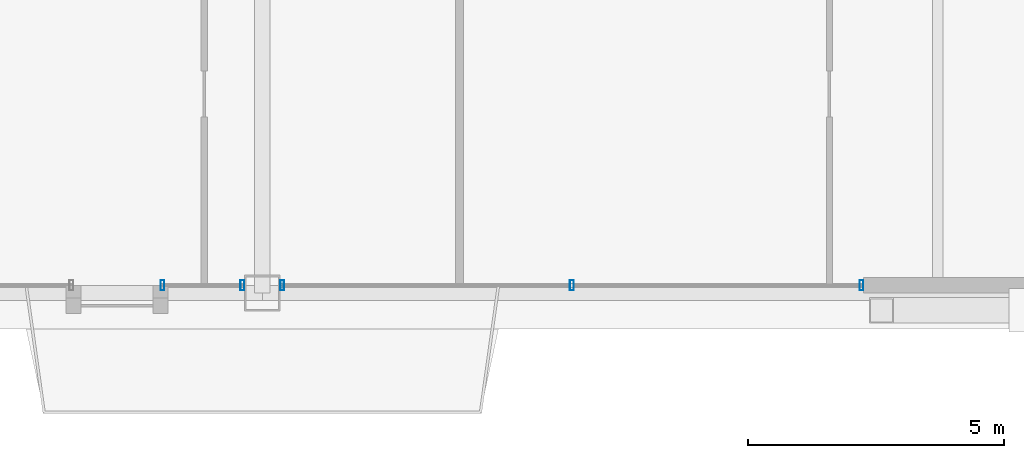
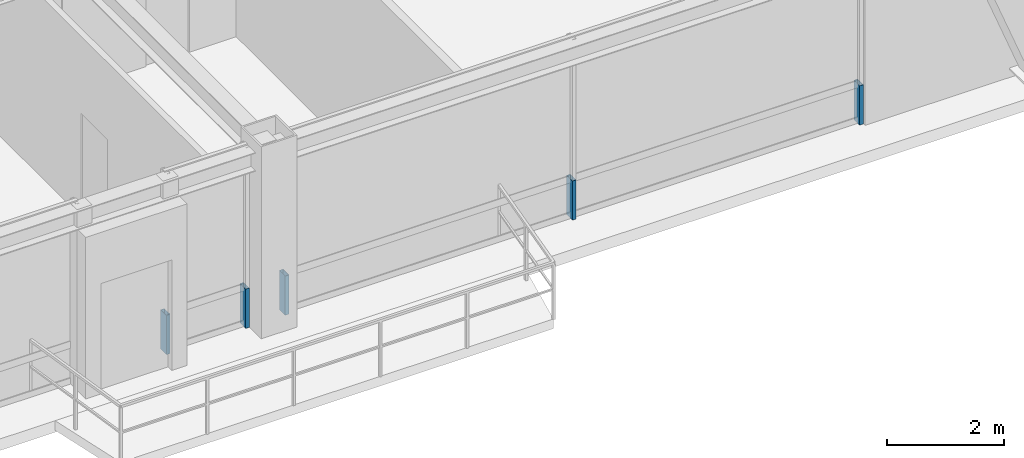
# One storey, part 22 of 35: 5 members, 2 elements without a shape of their own.
"""IFC4 building model written with IfcOpenShell, lengths in metres."""

from ifc_helpers import new_model, si_unit, direction, frame, origin, origin_2d, place, context, subcontext, project, spatial, hollow_rectangle, extrude, source, transform, mapped, material, layer, layer_set, material_profile, profile_set, type_object, element, aggregate, save


model = new_model("IFC4")

# Units and contexts
model_context = context("Model", 3, precision=1e-05, world=origin(), true_north=direction((0.0, 1.0)))
body_context = subcontext(model_context, "Body", "Model", "MODEL_VIEW")
ifc_project = project(units=[si_unit("LENGTHUNIT", "METRE"), si_unit("AREAUNIT", "SQUARE_METRE"), si_unit("VOLUMEUNIT", "CUBIC_METRE"), si_unit("PLANEANGLEUNIT", "RADIAN"), si_unit("MASSUNIT", "GRAM", prefix="KILO"), si_unit("THERMODYNAMICTEMPERATUREUNIT", "KELVIN"), si_unit("POWERUNIT", "WATT")], contexts=[model_context])

# Site, building, storey
site_placement = place(None, origin())
site = spatial("IfcSite", under=ifc_project, at=site_placement, CompositionType="ELEMENT")
building_placement = place(site_placement, origin())
building = spatial("IfcBuilding", under=site, at=building_placement, Name="Yuzanri Waterfront Tower", CompositionType="ELEMENT")
storey_placement = place(building_placement, frame((0.0, 0.0, 343.199951171875)))
storey = spatial("IfcBuildingStorey", under=building, at=storey_placement, Name="L92", CompositionType="ELEMENT", Elevation=343.199951171875)

# Curtain wall, members
ifc_material_1 = material(Name="Anodized Architectural Bronze", Category="metal")
ifc_layer = layer(ifc_material_1, 0.159912109375)
ifc_layer_set = layer_set([ifc_layer], Name="Anodized Architectural Bronze")
curtain_wall_type = type_object("IfcCurtainWallType", Name="Anodized Bronze High-Rise Penthouse High-Wind Unitized Curtain Wall 6900", PredefinedType="NOTDEFINED", material=ifc_layer_set)
curtain_wall_1_placement = place(storey_placement, origin())
curtain_wall_1 = element("IfcCurtainWall", 1, at=curtain_wall_1_placement, inside=storey, type_object=curtain_wall_type, Name="L92 Curtain Wall CW-L92-SL2", PredefinedType="NOTDEFINED")
ifc_material_2 = material(Name="Anodized Architectural Bronze", Category="metal")
ifc_material_profile = material_profile(ifc_material_2, hollow_rectangle(XDim=0.074951171875, YDim=0.199951171875, WallThickness=0.00390625, at=origin_2d()), Name="CWM 75x200")
ifc_profile_set = profile_set([ifc_material_profile], Name="Anodized Architectural Bronze")
member_type = type_object("IfcMemberType", Name="Anodized Bronze Primary Curtain-Wall Mullion 75x200", PredefinedType="MULLION", material=ifc_profile_set)
shared_shape = source(origin(), body_context, "Body", "SweptSolid", [
    extrude(hollow_rectangle(XDim=0.074951171875, YDim=0.199951171875, WallThickness=0.00390625, at=origin_2d()), origin(), (0.0, 0.0, 1.0), 0.818115234375),
])
member_1_placement = place(storey_placement, frame((35.049072265625, 6.85009765625, 0.0), z_axis=(0.0, 0.0, 1.0), x_axis=(1.0, 0.0, 0.0)))
member_1 = element("IfcMember", 2, at=member_1_placement, type_object=member_type, Name="CW-L92-SL2 Lower Mullion 00", PredefinedType="MULLION", context=body_context, shape_type="MappedRepresentation", body=[
    mapped(shared_shape, transform((0.0, 0.0, 0.0), scale=1.0)),
])
member_2_placement = place(storey_placement, frame((36.610107421875, 6.85009765625, 0.0), z_axis=(0.0, 0.0, 1.0), x_axis=(1.0, 0.0, 0.0)))
member_2 = element("IfcMember", 3, at=member_2_placement, type_object=member_type, Name="CW-L92-SL2 Lower Mullion 01", PredefinedType="MULLION", context=body_context, shape_type="MappedRepresentation", body=[
    mapped(shared_shape, transform((0.0, 0.0, 0.0), scale=1.0)),
])
aggregate(curtain_wall_1, [member_1, member_2])

curtain_wall_2_placement = place(storey_placement, origin())
curtain_wall_2 = element("IfcCurtainWall", 4, at=curtain_wall_2_placement, inside=storey, type_object=curtain_wall_type, Name="L92 Curtain Wall CW-L92-SR", PredefinedType="NOTDEFINED")
member_3_placement = place(storey_placement, frame((37.389892578125, 6.85009765625, 0.0), z_axis=(0.0, 0.0, 1.0), x_axis=(1.0, 0.0, 0.0)))
member_3 = element("IfcMember", 5, at=member_3_placement, type_object=member_type, Name="CW-L92-SR Lower Mullion 00", PredefinedType="MULLION", context=body_context, shape_type="MappedRepresentation", body=[
    mapped(shared_shape, transform((0.0, 0.0, 0.0), scale=1.0)),
])
member_4_placement = place(storey_placement, frame((43.050048828125, 6.85009765625, 0.0), z_axis=(0.0, 0.0, 1.0), x_axis=(1.0, 0.0, 0.0)))
member_4 = element("IfcMember", 6, at=member_4_placement, type_object=member_type, Name="CW-L92-SR Lower Mullion 01", PredefinedType="MULLION", context=body_context, shape_type="MappedRepresentation", body=[
    mapped(shared_shape, transform((0.0, 0.0, 0.0), scale=1.0)),
])
member_5_placement = place(storey_placement, frame((48.7099609375, 6.85009765625, 0.0), z_axis=(0.0, 0.0, 1.0), x_axis=(1.0, 0.0, 0.0)))
member_5 = element("IfcMember", 7, at=member_5_placement, type_object=member_type, Name="CW-L92-SR Lower Mullion 02", PredefinedType="MULLION", context=body_context, shape_type="MappedRepresentation", body=[
    mapped(shared_shape, transform((0.0, 0.0, 0.0), scale=1.0)),
])
aggregate(curtain_wall_2, [member_3, member_4, member_5])

save(model, "model.ifc")
